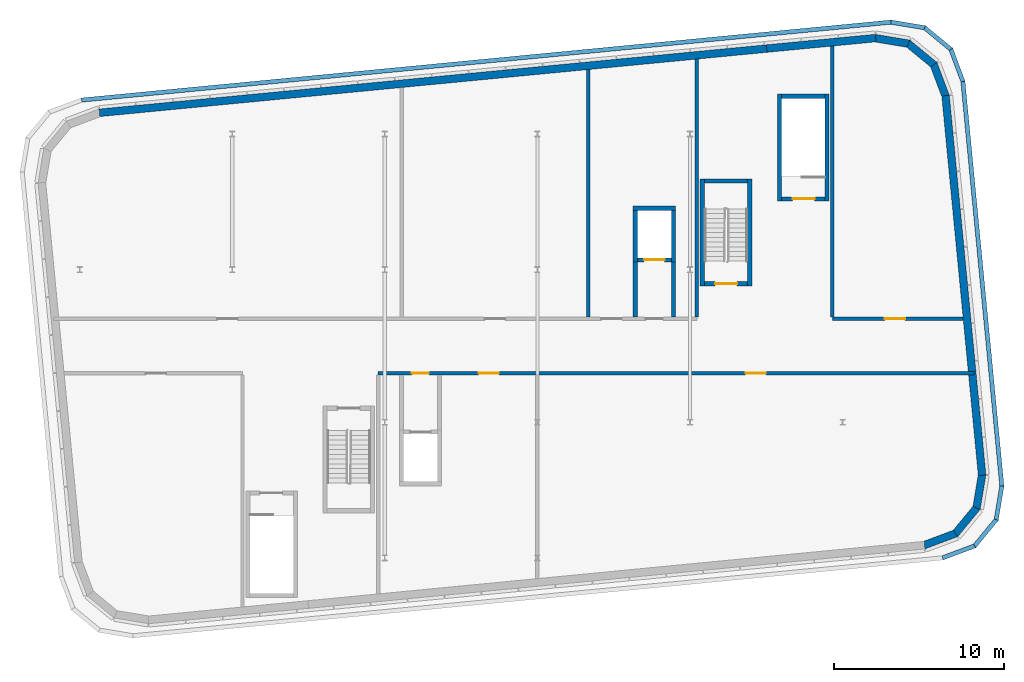
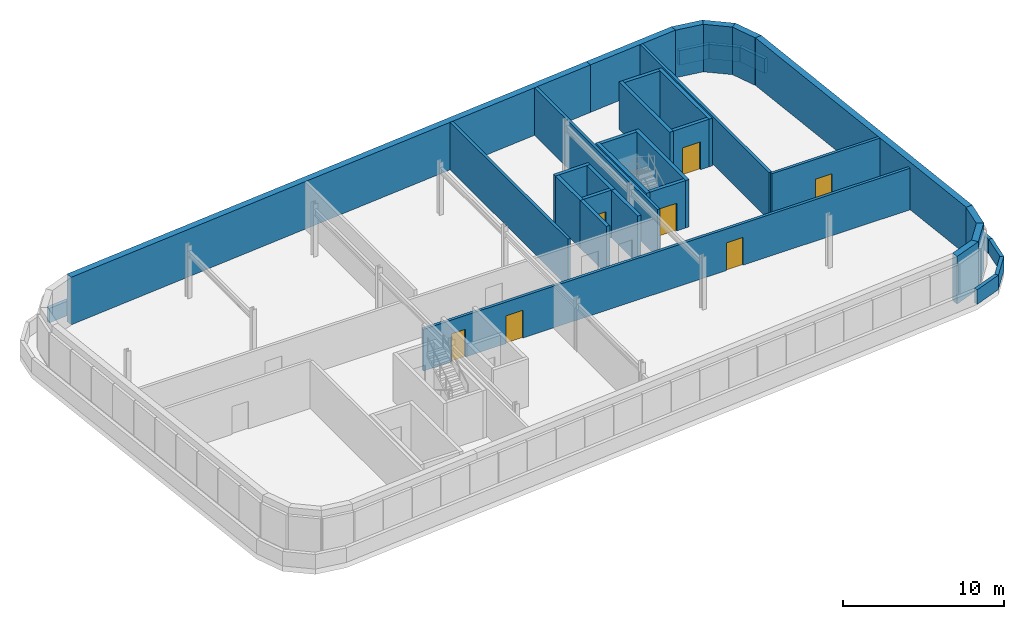
# One storey, part 4 of 6: 36 walls, 7 doors, 7 openings.
"""IFC4 building model written with IfcOpenShell, lengths in metres."""

from ifc_helpers import new_model, si_unit, direction, frame, frame_2d, origin, place, context, subcontext, project, spatial, polyline, rectangle, outline, extrude, material, layer, layer_set, type_object, element, fill, save


model = new_model("IFC4")

# Units and contexts
model_context = context("Model", 3, precision=1e-05, world=origin(), true_north=direction((0.0, 1.0)))
body_context = subcontext(model_context, "Body", "Model", "MODEL_VIEW")
ifc_project = project(units=[si_unit("LENGTHUNIT", "METRE"), si_unit("AREAUNIT", "SQUARE_METRE"), si_unit("VOLUMEUNIT", "CUBIC_METRE"), si_unit("PLANEANGLEUNIT", "RADIAN"), si_unit("MASSUNIT", "GRAM", prefix="KILO")], contexts=[model_context])

# Site, building, storey
site_placement = place(None, origin())
site = spatial("IfcSite", under=ifc_project, at=site_placement, CompositionType="ELEMENT")
building_placement = place(site_placement, origin())
building = spatial("IfcBuilding", under=site, at=building_placement, Name="Kajstack Hotel Tower", CompositionType="ELEMENT")
storey_placement = place(building_placement, frame((0.0, 0.0, 321.800048828125)))
storey = spatial("IfcBuildingStorey", under=building, at=storey_placement, Name="L81", CompositionType="ELEMENT", Elevation=321.800048828125)

# Walls
ifc_material_1 = material(Name="Concrete C40/50", Category="concrete")
ifc_layer_1 = layer(ifc_material_1, 0.449951171875)
ifc_layer_set_1 = layer_set([ifc_layer_1], Name="EW-CORE")
wall_type_1 = type_object("IfcWallType", Name="EW-CORE", PredefinedType="SOLIDWALL", material=ifc_layer_set_1)
wall_1_placement = place(storey_placement, frame((19.9541015625, 18.16015625, 0.0), z_axis=(0.0, 0.0, 1.0), x_axis=(-0.995396284299, -0.095844860075, 0.0)))
element("IfcWall", 1, at=wall_1_placement, inside=storey, type_object=wall_type_1, Name="E-wall-L81-12-00", PredefinedType="SOLIDWALL", context=body_context, shape_type="SweptSolid", body=[
    extrude(rectangle(XDim=6.46240234375, YDim=0.449951171875, at=frame_2d((3.231201171875, 0.0))), origin(), (0.0, 0.0, 1.0), 3.599853515625),
])
ifc_material_2 = material(Name="Zinc-clad block masonry", Category="masonry")
ifc_layer_2 = layer(ifc_material_2, 0.449951171875)
ifc_layer_set_2 = layer_set([ifc_layer_2], Name="EW-ZINC")
wall_type_2 = type_object("IfcWallType", Name="EW-ZINC", PredefinedType="SOLIDWALL", material=ifc_layer_set_2)
wall_2_placement = place(storey_placement, frame((22.777099609375, -11.7646484375, 0.0), z_axis=(0.0, 0.0, 1.0), x_axis=(0.936663137642, 0.350231589928, 0.0)))
element("IfcWall", 2, at=wall_2_placement, inside=storey, type_object=wall_type_2, Name="E-wall-L81-05-00", PredefinedType="SOLIDWALL", context=body_context, shape_type="SweptSolid", body=[
    extrude(outline(polyline([(0.0, -0.224853515625), (2.070556640625, -0.224853515625), (1.949951171875, 0.22509765625), (0.12060546875, 0.22509765625), (0.0, -0.224853515625)])), origin(), (0.0, 0.0, 1.0), 3.599853515625),
])
wall_3_placement = place(storey_placement, frame((24.62158203125, -11.107177734375, 0.0), z_axis=(0.0, 0.0, 1.0), x_axis=(0.635988241739, 0.771698747161, 0.0)))
element("IfcWall", 3, at=wall_3_placement, inside=storey, type_object=wall_type_2, Name="E-wall-L81-06-00", PredefinedType="SOLIDWALL", context=body_context, shape_type="SweptSolid", body=[
    extrude(outline(polyline([(0.0, -0.224853515625), (2.070556640625, -0.22509765625), (1.949951171875, 0.224853515625), (0.12060546875, 0.22509765625), (0.0, -0.224853515625)])), origin(), (0.0, 0.0, 1.0), 3.599853515625),
])
wall_4_placement = place(storey_placement, frame((25.890380859375, -9.615478515625, 0.0), z_axis=(0.0, 0.0, 1.0), x_axis=(0.165068144653, 0.986282164302, 0.0)))
element("IfcWall", 4, at=wall_4_placement, inside=storey, type_object=wall_type_2, Name="E-wall-L81-07-00", PredefinedType="SOLIDWALL", context=body_context, shape_type="SweptSolid", body=[
    extrude(outline(polyline([(0.0, -0.224853515625), (2.070556640625, -0.224853515625), (1.949951171875, 0.22509765625), (0.12060546875, 0.22509765625), (0.0, -0.224853515625)])), origin(), (0.0, 0.0, 1.0), 3.599853515625),
])
wall_5_placement = place(storey_placement, frame((26.22998046875, -7.632080078125, 0.0), z_axis=(0.0, 0.0, 1.0), x_axis=(-0.095843902002, 0.99539637655, 0.0)))
element("IfcWall", 5, at=wall_5_placement, inside=storey, type_object=wall_type_2, Name="E-wall-L81-08-00", PredefinedType="SOLIDWALL", context=body_context, shape_type="SweptSolid", body=[
    extrude(rectangle(XDim=22.5, YDim=0.449951171875, at=frame_2d((11.25, 0.0))), origin(), (0.0, 0.0, 1.0), 3.599853515625),
])
for number, where, z_axis, x_axis, name in (
    (6, (24.086669921875, 14.707275390625, 0.0), (0.0, 0.0, 1.0), (-0.350192909346, 0.936677599948, 0.0), "E-wall-L81-09-00"),
    (7, (23.42919921875, 16.552001953125, 0.0), (0.0, 0.0, 1.0), (-0.771651049663, 0.636046112757, 0.0), "E-wall-L81-10-00"),
):
    element("IfcWall", number, at=place(storey_placement, frame(where, z_axis=z_axis, x_axis=x_axis)), inside=storey, type_object=wall_type_2, Name=name, PredefinedType="SOLIDWALL", context=body_context, shape_type="SweptSolid", body=[
        extrude(outline(polyline([(0.0, -0.224853515625), (2.070556640625, -0.224853515625), (1.949951171875, 0.22509765625), (0.12060546875, 0.22509765625), (0.0, -0.224853515625)])), origin(), (0.0, 0.0, 1.0), 3.599853515625),
    ])
wall_6_placement = place(storey_placement, frame((21.9375, 17.820556640625, 0.0), z_axis=(0.0, 0.0, 1.0), x_axis=(-0.986282164302, 0.165068144653, 0.0)))
element("IfcWall", 8, at=wall_6_placement, inside=storey, type_object=wall_type_2, Name="E-wall-L81-11-00", PredefinedType="SOLIDWALL", context=body_context, shape_type="SweptSolid", body=[
    extrude(outline(polyline([(0.0, -0.22509765625), (2.070556640625, -0.224853515625), (1.949951171875, 0.22509765625), (0.12060546875, 0.22509765625), (0.0, -0.22509765625)])), origin(), (0.0, 0.0, 1.0), 3.599853515625),
])
wall_7_placement = place(storey_placement, frame((13.521484375, 17.540771484375, 0.0), z_axis=(0.0, 0.0, 1.0), x_axis=(-0.995396134071, -0.095846420264, 0.0)))
element("IfcWall", 9, at=wall_7_placement, inside=storey, type_object=wall_type_2, Name="E-wall-L81-12-01", PredefinedType="SOLIDWALL", context=body_context, shape_type="SweptSolid", body=[
    extrude(rectangle(XDim=39.537841796875, YDim=0.449951171875, at=frame_2d((19.76904296875, 0.0))), origin(), (0.0, 0.0, 1.0), 3.599853515625),
])
ifc_layer_3 = layer(ifc_material_2, 0.25)
ifc_layer_set_3 = layer_set([ifc_layer_3], Name="PARAPET-ZINC")
wall_type_3 = type_object("IfcWallType", Name="PARAPET-ZINC", PredefinedType="PARAPET", material=ifc_layer_set_3)
wall_8_placement = place(storey_placement, origin())
element("IfcWall", 10, at=wall_8_placement, inside=storey, type_object=wall_type_3, Name="Parapet L81-01-01-03", PredefinedType="PARAPET", context=body_context, shape_type="SweptSolid", body=[
    extrude(outline(polyline([(-26.9228515625, 14.6259765625), (-26.8662109375, 14.38037109375), (20.84716796875, 18.974609375), (20.85595703125, 19.2265625), (-26.9228515625, 14.6259765625)])), origin(), (0.0, 0.0, 1.0), 1.099853515625),
])
wall_9_placement = place(storey_placement, origin())
element("IfcWall", 11, at=wall_9_placement, inside=storey, type_object=wall_type_3, Name="Parapet L81-01-01-04", PredefinedType="PARAPET", context=body_context, shape_type="SweptSolid", body=[
    extrude(outline(polyline([(20.85595703125, 19.2265625), (20.84716796875, 18.974609375), (22.790771484375, 18.6494140625), (22.89794921875, 18.884765625), (20.85595703125, 19.2265625)])), origin(), (0.0, 0.0, 1.0), 1.099853515625),
])
wall_10_placement = place(storey_placement, origin())
element("IfcWall", 12, at=wall_10_placement, inside=storey, type_object=wall_type_3, Name="Parapet L81-01-01-05", PredefinedType="PARAPET", context=body_context, shape_type="SweptSolid", body=[
    extrude(outline(polyline([(22.89794921875, 18.884765625), (22.790771484375, 18.6494140625), (24.28515625, 17.417724609375), (24.495849609375, 17.56787109375), (22.89794921875, 18.884765625)])), origin(), (0.0, 0.0, 1.0), 1.099853515625),
])
wall_11_placement = place(storey_placement, origin())
element("IfcWall", 13, at=wall_11_placement, inside=storey, type_object=wall_type_3, Name="Parapet L81-01-01-06", PredefinedType="PARAPET", context=body_context, shape_type="SweptSolid", body=[
    extrude(outline(polyline([(24.495849609375, 17.56787109375), (24.28515625, 17.417724609375), (24.975341796875, 15.571533203125), (25.220947265625, 15.62841796875), (24.495849609375, 17.56787109375)])), origin(), (0.0, 0.0, 1.0), 1.099853515625),
])
wall_12_placement = place(storey_placement, origin())
element("IfcWall", 14, at=wall_12_placement, inside=storey, type_object=wall_type_3, Name="Parapet L81-01-01-07", PredefinedType="PARAPET", context=body_context, shape_type="SweptSolid", body=[
    extrude(outline(polyline([(25.220947265625, 15.62841796875), (24.975341796875, 15.571533203125), (27.269287109375, -8.252197265625), (27.521240234375, -8.260986328125), (25.220947265625, 15.62841796875)])), origin(), (0.0, 0.0, 1.0), 1.099853515625),
])
wall_13_placement = place(storey_placement, origin())
element("IfcWall", 15, at=wall_13_placement, inside=storey, type_object=wall_type_3, Name="Parapet L81-01-01-08", PredefinedType="PARAPET", context=body_context, shape_type="SweptSolid", body=[
    extrude(outline(polyline([(27.521240234375, -8.260986328125), (27.269287109375, -8.252197265625), (26.94384765625, -10.19580078125), (27.179443359375, -10.30322265625), (27.521240234375, -8.260986328125)])), origin(), (0.0, 0.0, 1.0), 1.099853515625),
])
wall_14_placement = place(storey_placement, origin())
element("IfcWall", 16, at=wall_14_placement, inside=storey, type_object=wall_type_3, Name="Parapet L81-01-01-09", PredefinedType="PARAPET", context=body_context, shape_type="SweptSolid", body=[
    extrude(outline(polyline([(27.179443359375, -10.30322265625), (26.94384765625, -10.19580078125), (25.712158203125, -11.690185546875), (25.862548828125, -11.90087890625), (27.179443359375, -10.30322265625)])), origin(), (0.0, 0.0, 1.0), 1.099853515625),
])
wall_15_placement = place(storey_placement, origin())
element("IfcWall", 17, at=wall_15_placement, inside=storey, type_object=wall_type_3, Name="Parapet L81-01-01-10", PredefinedType="PARAPET", context=body_context, shape_type="SweptSolid", body=[
    extrude(outline(polyline([(25.862548828125, -11.90087890625), (25.712158203125, -11.690185546875), (23.8662109375, -12.38037109375), (23.9228515625, -12.6259765625), (25.862548828125, -11.90087890625)])), origin(), (0.0, 0.0, 1.0), 1.099853515625),
])

# Wall, openings, doors
ifc_material_3 = material(Name="Gypsum board on steel studs, mineral wool", Category="steel")
ifc_layer_4 = layer(ifc_material_3, 0.199951171875)
ifc_layer_set_4 = layer_set([ifc_layer_4], Name="Public partition 200")
wall_type_4 = type_object("IfcWallType", Name="Public partition 200", PredefinedType="PARTITIONING", material=ifc_layer_set_4)
wall_16_placement = place(storey_placement, frame((-9.39990234375, -1.60009765625, 0.0), z_axis=(0.0, 0.0, 1.0), x_axis=(1.0, 0.0, 0.0)))
wall_16 = element("IfcWall", 18, at=wall_16_placement, inside=storey, type_object=wall_type_4, Name="Partition FW1", PredefinedType="PARTITIONING", context=body_context, shape_type="SweptSolid", body=[
    extrude(rectangle(XDim=35.150390625, YDim=0.199951171875, at=frame_2d((17.5751953125, 0.0))), origin(), (0.0, 0.0, 1.0), 3.14990234375),
])
opening_1_placement = place(wall_16_placement, frame((5.925048828125, 0.0, 0.0)))
opening_1 = element("IfcOpeningElement", 19, at=opening_1_placement, cuts=wall_16, Name="Opening 81P02", PredefinedType="OPENING", context=body_context, shape_type="SweptSolid", body=[
    extrude(rectangle(XDim=1.199951171875, YDim=2.10009765625, at=frame_2d((0.60009765625, 1.050048828125))), frame((0.0, 0.10986328125, 0.0), z_axis=(0.0, -1.0, 0.0), x_axis=(1.0, 0.0, 0.0)), (0.0, 0.0, 1.0), 0.219970703125),
])
opening_2_placement = place(wall_16_placement, frame((21.675048828125, 0.0, 0.0)))
opening_2 = element("IfcOpeningElement", 20, at=opening_2_placement, cuts=wall_16, Name="Opening 81P03", PredefinedType="OPENING", context=body_context, shape_type="SweptSolid", body=[
    extrude(rectangle(XDim=1.199951171875, YDim=2.10009765625, at=frame_2d((0.60009765625, 1.050048828125))), frame((0.0, 0.10986328125, 0.0), z_axis=(0.0, -1.0, 0.0), x_axis=(1.0, 0.0, 0.0)), (0.0, 0.0, 1.0), 0.219970703125),
])
opening_3_placement = place(wall_16_placement, frame((2.0, 0.0, 0.0)))
opening_3 = element("IfcOpeningElement", 21, at=opening_3_placement, cuts=wall_16, Name="Opening 81P08", PredefinedType="OPENING", context=body_context, shape_type="SweptSolid", body=[
    extrude(rectangle(XDim=1.0, YDim=2.10009765625, at=frame_2d((0.5, 1.050048828125))), frame((0.0, 0.10986328125, 0.0), z_axis=(0.0, -1.0, 0.0), x_axis=(1.0, 0.0, 0.0)), (0.0, 0.0, 1.0), 0.219970703125),
])
ifc_material_4 = material(Name="Timber leaf, fire-rated", Category="wood")
door_type_1 = type_object("IfcDoorType", Name="Public corridor door 1200", OperationType="SINGLE_SWING_LEFT", PredefinedType="DOOR", material=ifc_material_4)
door_1_placement = place(opening_1_placement, origin())
door_1 = element("IfcDoor", 22, at=door_1_placement, inside=storey, type_object=door_type_1, Name="Door 81P02", OperationType="SINGLE_SWING_RIGHT", OverallHeight=2.10009765625, OverallWidth=1.199951171875, PredefinedType="DOOR", context=body_context, shape_type="SweptSolid", body=[
    extrude(rectangle(XDim=1.199951171875, YDim=2.10009765625, at=frame_2d((0.60009765625, 1.050048828125))), frame((0.0, 0.02490234375, 0.0), z_axis=(0.0, -1.0, 0.0), x_axis=(1.0, 0.0, 0.0)), (0.0, 0.0, 1.0), 0.050048828125),
])
fill(opening_1, door_1)
door_2_placement = place(opening_2_placement, origin())
door_2 = element("IfcDoor", 23, at=door_2_placement, inside=storey, type_object=door_type_1, Name="Door 81P03", OperationType="SINGLE_SWING_RIGHT", OverallHeight=2.10009765625, OverallWidth=1.199951171875, PredefinedType="DOOR", context=body_context, shape_type="SweptSolid", body=[
    extrude(rectangle(XDim=1.199951171875, YDim=2.10009765625, at=frame_2d((0.60009765625, 1.050048828125))), frame((0.0, 0.02490234375, 0.0), z_axis=(0.0, -1.0, 0.0), x_axis=(1.0, 0.0, 0.0)), (0.0, 0.0, 1.0), 0.050048828125),
])
fill(opening_2, door_2)
ifc_material_5 = material(Name="Timber leaf", Category="wood")
door_type_2 = type_object("IfcDoorType", Name="Public room door 1000", OperationType="SINGLE_SWING_LEFT", PredefinedType="DOOR", material=ifc_material_5)
door_3_placement = place(opening_3_placement, origin())
door_3 = element("IfcDoor", 24, at=door_3_placement, inside=storey, type_object=door_type_2, Name="Door 81P08", OperationType="SINGLE_SWING_RIGHT", OverallHeight=2.10009765625, OverallWidth=1.0, PredefinedType="DOOR", context=body_context, shape_type="SweptSolid", body=[
    extrude(rectangle(XDim=1.0, YDim=2.10009765625, at=frame_2d((0.5, 1.050048828125))), frame((0.0, 0.02490234375, 0.0), z_axis=(0.0, -1.0, 0.0), x_axis=(1.0, 0.0, 0.0)), (0.0, 0.0, 1.0), 0.050048828125),
])
fill(opening_3, door_3)

# Walls
wall_17_placement = place(storey_placement, frame((17.39990234375, 1.699951171875, 0.0), z_axis=(0.0, 0.0, 1.0), x_axis=(0.0, 1.0, 0.0)))
element("IfcWall", 25, at=wall_17_placement, inside=storey, type_object=wall_type_4, Name="Partition SX0", PredefinedType="PARTITIONING", context=body_context, shape_type="SweptSolid", body=[
    extrude(rectangle(XDim=15.98828125, YDim=0.199951171875, at=frame_2d((7.994140625, 0.0))), origin(), (0.0, 0.0, 1.0), 3.599853515625),
])
wall_18_placement = place(storey_placement, frame((9.39990234375, 1.699951171875, 0.0), z_axis=(0.0, 0.0, 1.0), x_axis=(0.0, 1.0, 0.0)))
element("IfcWall", 26, at=wall_18_placement, inside=storey, type_object=wall_type_4, Name="Partition SX1", PredefinedType="PARTITIONING", context=body_context, shape_type="SweptSolid", body=[
    extrude(rectangle(XDim=15.218017578125, YDim=0.199951171875, at=frame_2d((7.60888671875, 0.0))), origin(), (0.0, 0.0, 1.0), 3.599853515625),
])
wall_19_placement = place(storey_placement, frame((3.0, 1.699951171875, 0.0), z_axis=(0.0, 0.0, 1.0), x_axis=(0.0, 1.0, 0.0)))
element("IfcWall", 27, at=wall_19_placement, inside=storey, type_object=wall_type_4, Name="Partition SX2", PredefinedType="PARTITIONING", context=body_context, shape_type="SweptSolid", body=[
    extrude(rectangle(XDim=14.601806640625, YDim=0.199951171875, at=frame_2d((7.30078125, 0.0))), origin(), (0.0, 0.0, 1.0), 3.599853515625),
])

# Wall, opening, door
wall_20_placement = place(storey_placement, frame((17.39990234375, 1.60009765625, 0.0), z_axis=(0.0, 0.0, 1.0), x_axis=(1.0, 0.0, 0.0)))
wall_20 = element("IfcWall", 28, at=wall_20_placement, inside=storey, type_object=wall_type_4, Name="Partition SFW0", PredefinedType="PARTITIONING", context=body_context, shape_type="SweptSolid", body=[
    extrude(rectangle(XDim=7.715087890625, YDim=0.199951171875, at=frame_2d((3.857421875, 0.0))), origin(), (0.0, 0.0, 1.0), 3.599853515625),
])
opening_4_placement = place(wall_20_placement, frame((3.093994140625, 0.0, 0.0)))
opening_4 = element("IfcOpeningElement", 29, at=opening_4_placement, cuts=wall_20, Name="Opening 81P04", PredefinedType="OPENING", context=body_context, shape_type="SweptSolid", body=[
    extrude(rectangle(XDim=1.199951171875, YDim=2.10009765625, at=frame_2d((0.60009765625, 1.050048828125))), frame((0.0, 0.10986328125, 0.0), z_axis=(0.0, -1.0, 0.0), x_axis=(1.0, 0.0, 0.0)), (0.0, 0.0, 1.0), 0.219970703125),
])
door_4_placement = place(opening_4_placement, origin())
door_4 = element("IfcDoor", 30, at=door_4_placement, inside=storey, type_object=door_type_1, Name="Door 81P04", OperationType="SINGLE_SWING_LEFT", OverallHeight=2.10009765625, OverallWidth=1.199951171875, PredefinedType="DOOR", context=body_context, shape_type="SweptSolid", body=[
    extrude(rectangle(XDim=1.199951171875, YDim=2.10009765625, at=frame_2d((0.60009765625, 1.050048828125))), frame((0.0, 0.02490234375, 0.0), z_axis=(0.0, -1.0, 0.0), x_axis=(1.0, 0.0, 0.0)), (0.0, 0.0, 1.0), 0.050048828125),
])
fill(opening_4, door_4)

# Walls
ifc_layer_5 = layer(ifc_material_3, 0.199951171875)
ifc_layer_set_5 = layer_set([ifc_layer_5], Name="Service partition 200")
wall_type_5 = type_object("IfcWallType", Name="Service partition 200", PredefinedType="PARTITIONING", material=ifc_layer_set_5)
for number, where, z_axis, x_axis, name in (
    (31, (8.02490234375, 1.699951171875, 0.0), (0.0, 0.0, 1.0), (0.0, 1.0, 0.0), "Partition E CLLW"),
    (32, (5.77490234375, 1.699951171875, 0.0), (0.0, 0.0, 1.0), (0.0, 1.0, 0.0), "Partition E CLLE"),
):
    element("IfcWall", number, at=place(storey_placement, frame(where, z_axis=z_axis, x_axis=x_axis)), inside=storey, type_object=wall_type_5, Name=name, PredefinedType="PARTITIONING", context=body_context, shape_type="SweptSolid", body=[
        extrude(rectangle(XDim=3.25, YDim=0.25, at=frame_2d((1.625, 0.0))), origin(), (0.0, 0.0, 1.0), 3.599853515625),
    ])
ifc_material_6 = material(Name="Concrete C50/60", Category="concrete")
ifc_layer_6 = layer(ifc_material_6, 0.25)
ifc_layer_set_6 = layer_set([ifc_layer_6], Name="Shaft wall 250")
wall_type_6 = type_object("IfcWallType", Name="Shaft wall 250", PredefinedType="SHEAR", material=ifc_layer_set_6)
wall_21_placement = place(storey_placement, frame((5.64990234375, 8.125, 0.0), z_axis=(0.0, 0.0, 1.0), x_axis=(1.0, 0.0, 0.0)))
element("IfcWall", 33, at=wall_21_placement, inside=storey, type_object=wall_type_6, Name="Core wall E CLS", PredefinedType="SHEAR", context=body_context, shape_type="SweptSolid", body=[
    extrude(rectangle(XDim=2.5, YDim=0.25, at=frame_2d((1.25, 0.0))), origin(), (0.0, 0.0, 1.0), 3.599853515625),
])
for number, where, z_axis, x_axis, name in (
    (34, (8.02490234375, 4.949951171875, 0.0), (0.0, 0.0, 1.0), (0.0, 1.0, 0.0), "Core wall E CLW"),
    (35, (5.77490234375, 4.949951171875, 0.0), (0.0, 0.0, 1.0), (0.0, 1.0, 0.0), "Core wall E CLE"),
):
    element("IfcWall", number, at=place(storey_placement, frame(where, z_axis=z_axis, x_axis=x_axis)), inside=storey, type_object=wall_type_6, Name=name, PredefinedType="SHEAR", context=body_context, shape_type="SweptSolid", body=[
        extrude(rectangle(XDim=3.050048828125, YDim=0.25, at=frame_2d((1.52490234375, 0.0))), origin(), (0.0, 0.0, 1.0), 3.599853515625),
    ])

# Wall, opening, door
wall_22_placement = place(storey_placement, frame((5.89990234375, 5.074951171875, 0.0), z_axis=(0.0, 0.0, 1.0), x_axis=(1.0, 0.0, 0.0)))
wall_22 = element("IfcWall", 36, at=wall_22_placement, inside=storey, type_object=wall_type_6, Name="Core wall E CLN", PredefinedType="SHEAR", context=body_context, shape_type="SweptSolid", body=[
    extrude(rectangle(XDim=2.0, YDim=0.25, at=frame_2d((1.0, 0.0))), origin(), (0.0, 0.0, 1.0), 3.599853515625),
])
opening_5_placement = place(wall_22_placement, frame((0.39990234375, 0.0, 0.0)))
opening_5 = element("IfcOpeningElement", 37, at=opening_5_placement, cuts=wall_22, Name="Opening LD-CL2", PredefinedType="OPENING", context=body_context, shape_type="SweptSolid", body=[
    extrude(rectangle(XDim=1.199951171875, YDim=2.10009765625, at=frame_2d((0.60009765625, 1.050048828125))), frame((0.0, 0.135009765625, 0.0), z_axis=(0.0, -1.0, 0.0), x_axis=(1.0, 0.0, 0.0)), (0.0, 0.0, 1.0), 0.27001953125),
])
ifc_material_7 = material(Name="Stainless steel", Category="steel")
door_type_3 = type_object("IfcDoorType", Name="Lift landing door 1200", OperationType="SLIDING_TO_LEFT", PredefinedType="DOOR", material=ifc_material_7)
door_5_placement = place(opening_5_placement, origin())
door_5 = element("IfcDoor", 38, at=door_5_placement, inside=storey, type_object=door_type_3, Name="Landing door CL2", OperationType="SLIDING_TO_LEFT", OverallHeight=2.10009765625, OverallWidth=1.199951171875, PredefinedType="DOOR", context=body_context, shape_type="SweptSolid", body=[
    extrude(rectangle(XDim=1.199951171875, YDim=2.10009765625, at=frame_2d((0.60009765625, 1.050048828125))), frame((0.0, 0.02490234375, 0.0), z_axis=(0.0, -1.0, 0.0), x_axis=(1.0, 0.0, 0.0)), (0.0, 0.0, 1.0), 0.050048828125),
])
fill(opening_5, door_5)

# Walls
ifc_layer_7 = layer(ifc_material_1, 0.25)
ifc_layer_set_7 = layer_set([ifc_layer_7], Name="Stair enclosure wall 250")
wall_type_7 = type_object("IfcWallType", Name="Stair enclosure wall 250", PredefinedType="SHEAR", material=ifc_layer_set_7)
for number, where, z_axis, x_axis, name in (
    (39, (17.074951171875, 8.550048828125, 0.0), (0.0, 0.0, 1.0), (0.0, 1.0, 0.0), "Core wall E W2W"),
    (40, (14.27490234375, 8.550048828125, 0.0), (0.0, 0.0, 1.0), (0.0, 1.0, 0.0), "Core wall E W2E"),
):
    element("IfcWall", number, at=place(storey_placement, frame(where, z_axis=z_axis, x_axis=x_axis)), inside=storey, type_object=wall_type_7, Name=name, PredefinedType="SHEAR", context=body_context, shape_type="SweptSolid", body=[
        extrude(rectangle(XDim=6.300048828125, YDim=0.25, at=frame_2d((3.14990234375, 0.0))), origin(), (0.0, 0.0, 1.0), 3.599853515625),
    ])
wall_23_placement = place(storey_placement, frame((14.39990234375, 14.72509765625, 0.0), z_axis=(0.0, 0.0, 1.0), x_axis=(1.0, 0.0, 0.0)))
element("IfcWall", 41, at=wall_23_placement, inside=storey, type_object=wall_type_7, Name="Core wall E W2S", PredefinedType="SHEAR", context=body_context, shape_type="SweptSolid", body=[
    extrude(rectangle(XDim=2.550048828125, YDim=0.25, at=frame_2d((1.27490234375, 0.0))), origin(), (0.0, 0.0, 1.0), 3.599853515625),
])

# Wall, opening, door
wall_24_placement = place(storey_placement, frame((14.39990234375, 8.675048828125, 0.0), z_axis=(0.0, 0.0, 1.0), x_axis=(1.0, 0.0, 0.0)))
wall_24 = element("IfcWall", 42, at=wall_24_placement, inside=storey, type_object=wall_type_7, Name="Core wall E W2N", PredefinedType="SHEAR", context=body_context, shape_type="SweptSolid", body=[
    extrude(rectangle(XDim=2.550048828125, YDim=0.25, at=frame_2d((1.27490234375, 0.0))), origin(), (0.0, 0.0, 1.0), 3.599853515625),
])
opening_6_placement = place(wall_24_placement, frame((0.64990234375, 0.0, 0.0)))
opening_6 = element("IfcOpeningElement", 43, at=opening_6_placement, cuts=wall_24, Name="Opening 81E02", PredefinedType="OPENING", context=body_context, shape_type="SweptSolid", body=[
    extrude(rectangle(XDim=1.300048828125, YDim=2.10009765625, at=frame_2d((0.64990234375, 1.050048828125))), frame((0.0, 0.135009765625, 0.0), z_axis=(0.0, -1.0, 0.0), x_axis=(1.0, 0.0, 0.0)), (0.0, 0.0, 1.0), 0.27001953125),
])
ifc_material_8 = material(Name="Steel leaf, fire-rated", Category="steel")
door_type_4 = type_object("IfcDoorType", Name="Stair door 1300", OperationType="SINGLE_SWING_LEFT", PredefinedType="DOOR", material=ifc_material_8)
door_6_placement = place(opening_6_placement, origin())
door_6 = element("IfcDoor", 44, at=door_6_placement, inside=storey, type_object=door_type_4, Name="Door 81E02", OperationType="SINGLE_SWING_LEFT", OverallHeight=2.10009765625, OverallWidth=1.300048828125, PredefinedType="DOOR", context=body_context, shape_type="SweptSolid", body=[
    extrude(rectangle(XDim=1.300048828125, YDim=2.10009765625, at=frame_2d((0.64990234375, 1.050048828125))), frame((0.0, 0.02490234375, 0.0), z_axis=(0.0, -1.0, 0.0), x_axis=(1.0, 0.0, 0.0)), (0.0, 0.0, 1.0), 0.050048828125),
])
fill(opening_6, door_6)

# Walls
for number, where, z_axis, x_axis, name in (
    (45, (9.72509765625, 3.550048828125, 0.0), (0.0, 0.0, 1.0), (0.0, 1.0, 0.0), "Stair wall R2 W"),
    (46, (12.52490234375, 3.550048828125, 0.0), (0.0, 0.0, 1.0), (0.0, 1.0, 0.0), "Stair wall R2 E"),
):
    element("IfcWall", number, at=place(storey_placement, frame(where, z_axis=z_axis, x_axis=x_axis)), inside=storey, type_object=wall_type_7, Name=name, PredefinedType="SHEAR", context=body_context, shape_type="SweptSolid", body=[
        extrude(rectangle(XDim=6.300048828125, YDim=0.25, at=frame_2d((3.14990234375, 0.0))), origin(), (0.0, 0.0, 1.0), 3.599853515625),
    ])
wall_25_placement = place(storey_placement, frame((9.85009765625, 9.72509765625, 0.0), z_axis=(0.0, 0.0, 1.0), x_axis=(1.0, 0.0, 0.0)))
element("IfcWall", 47, at=wall_25_placement, inside=storey, type_object=wall_type_7, Name="Stair wall R2 F", PredefinedType="SHEAR", context=body_context, shape_type="SweptSolid", body=[
    extrude(rectangle(XDim=2.5498046875, YDim=0.25, at=frame_2d((1.27490234375, 0.0))), origin(), (0.0, 0.0, 1.0), 3.599853515625),
])

# Wall, opening, door
wall_26_placement = place(storey_placement, frame((9.85009765625, 3.675048828125, 0.0), z_axis=(0.0, 0.0, 1.0), x_axis=(1.0, 0.0, 0.0)))
wall_26 = element("IfcWall", 48, at=wall_26_placement, inside=storey, type_object=wall_type_7, Name="Stair wall R2 N", PredefinedType="SHEAR", context=body_context, shape_type="SweptSolid", body=[
    extrude(rectangle(XDim=2.5498046875, YDim=0.25, at=frame_2d((1.27490234375, 0.0))), origin(), (0.0, 0.0, 1.0), 3.599853515625),
])
opening_7_placement = place(wall_26_placement, frame((0.625, 0.0, 0.0)))
opening_7 = element("IfcOpeningElement", 49, at=opening_7_placement, cuts=wall_26, Name="Opening 81R2", PredefinedType="OPENING", context=body_context, shape_type="SweptSolid", body=[
    extrude(rectangle(XDim=1.300048828125, YDim=2.10009765625, at=frame_2d((0.64990234375, 1.050048828125))), frame((0.0, 0.135009765625, 0.0), z_axis=(0.0, -1.0, 0.0), x_axis=(1.0, 0.0, 0.0)), (0.0, 0.0, 1.0), 0.27001953125),
])
door_7_placement = place(opening_7_placement, origin())
door_7 = element("IfcDoor", 50, at=door_7_placement, inside=storey, type_object=door_type_4, Name="Door 81R2", OperationType="SINGLE_SWING_LEFT", OverallHeight=2.10009765625, OverallWidth=1.300048828125, PredefinedType="DOOR", context=body_context, shape_type="SweptSolid", body=[
    extrude(rectangle(XDim=1.300048828125, YDim=2.10009765625, at=frame_2d((0.64990234375, 1.050048828125))), frame((0.0, 0.02490234375, 0.0), z_axis=(0.0, -1.0, 0.0), x_axis=(1.0, 0.0, 0.0)), (0.0, 0.0, 1.0), 0.050048828125),
])
fill(opening_7, door_7)

save(model, "model.ifc")
